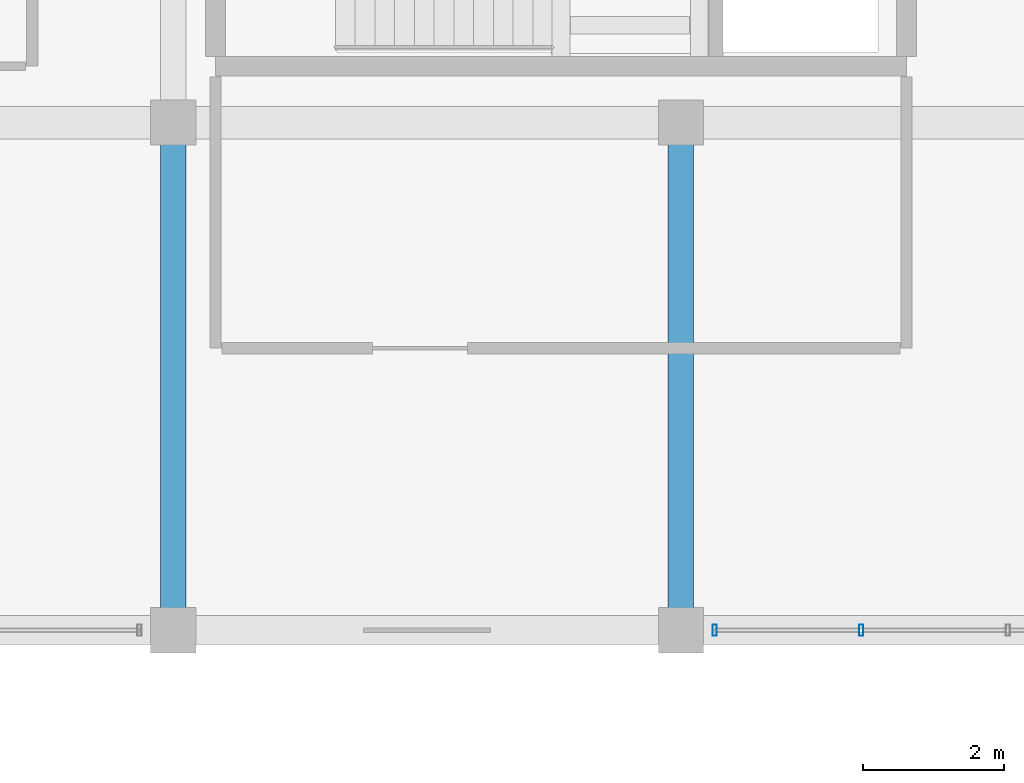
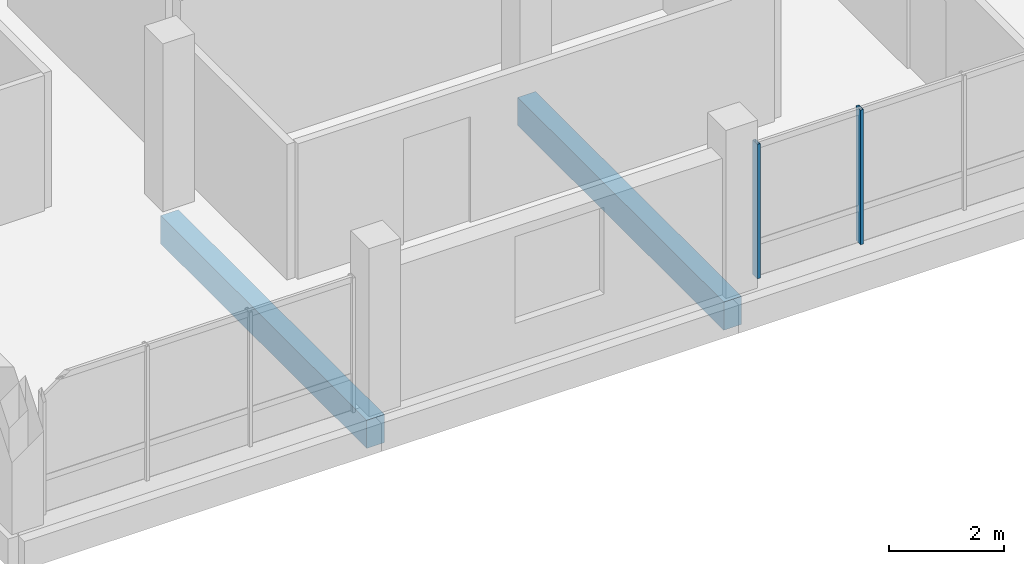
# One storey, part 86 of 128: 2 beams, 2 members, 1 element without a shape of its own.
"""IFC4 building model written with IfcOpenShell, lengths in metres."""

import ifcopenshell
import ifcopenshell.guid

model = None  # the IFC model being written
_history = None  # IfcOwnerHistory: only IFC2X3 demands one
_inside = {}  # id of a spatial element -> (the spatial element, [elements in it])
_under = {}  # id of a project, library or spatial element -> (it, [spatial elements below it])
_declared = {}  # id of a project -> (the project, [libraries it declares])
_typed = {}  # id of a type object -> (the type object, [elements of that type])
_made_of = {}  # id of a material, layer set ... -> (it, [elements and type objects made of it])


def new_model(schema):
    """Start an empty IFC model of exactly this schema.

    Asked for "IFC4X3", IfcOpenShell would pick the latest addendum, in which some entities
    have other attributes; the version numbers below select the first issue.
    IFC2X3 requires an IfcOwnerHistory on every rooted entity: one is made here for all.
    """
    global model, _history
    if schema == "IFC4X3":
        model = ifcopenshell.file(schema_version=(4, 3, 0, 0))
    else:
        model = ifcopenshell.file(schema=schema)
    _inside.clear()
    _under.clear()
    _declared.clear()
    _typed.clear()
    _made_of.clear()
    _history = None
    if model.schema == "IFC2X3":
        org = make("IfcOrganization", Name="unknown")
        user = make(
            "IfcPersonAndOrganization",
            ThePerson=make("IfcPerson", FamilyName="unknown"),
            TheOrganization=org,
        )
        app = make(
            "IfcApplication",
            ApplicationDeveloper=org,
            Version="unknown",
            ApplicationFullName="unknown",
            ApplicationIdentifier="unknown",
        )
        _history = make(
            "IfcOwnerHistory",
            OwningUser=user,
            OwningApplication=app,
            ChangeAction="ADDED",
            CreationDate=0,
        )
    return model


def make(cls, **values):
    """One entity of the class cls with the attributes given. An attribute that is None is left unset."""
    return model.create_entity(
        cls, **{name: value for name, value in values.items() if value is not None}
    )


def rooted(cls, **values):
    """An entity with a GlobalId (a new one), such as an element, a storey or a relation."""
    return make(cls, GlobalId=ifcopenshell.guid.new(), OwnerHistory=_history, **values)


def si_unit(unit_type, name, prefix=None):
    """IfcSIUnit, for example si_unit("LENGTHUNIT", "METRE", prefix="MILLI")."""
    return make("IfcSIUnit", UnitType=unit_type, Prefix=prefix, Name=name)


def assignment(units):
    """IfcUnitAssignment: the units of a project."""
    return None if units is None else make("IfcUnitAssignment", Units=units)


def point(xyz):
    """IfcCartesianPoint."""
    return None if xyz is None else make("IfcCartesianPoint", Coordinates=xyz)


def direction(xyz):
    """IfcDirection."""
    return None if xyz is None else make("IfcDirection", DirectionRatios=xyz)


def frame(location, z_axis=None, x_axis=None):
    """IfcAxis2Placement3D, a coordinate frame: its origin and axes. An axis left out is left unset."""
    return make(
        "IfcAxis2Placement3D",
        Location=point(location),
        Axis=direction(z_axis),
        RefDirection=direction(x_axis),
    )


def frame_2d(location, x_axis=None):
    """IfcAxis2Placement2D, a coordinate frame in the plane: its origin and x axis."""
    return make(
        "IfcAxis2Placement2D", Location=point(location), RefDirection=direction(x_axis)
    )


def origin():
    """The frame at (0, 0, 0) with its axes left unset."""
    return frame((0.0, 0.0, 0.0))


def origin_2d():
    """The frame at (0, 0) in the plane with its x axis left unset."""
    return frame_2d((0.0, 0.0))


def place(relative_to, where):
    """IfcLocalPlacement: puts the frame where relative to a parent placement (None: the world)."""
    return make(
        "IfcLocalPlacement", PlacementRelTo=relative_to, RelativePlacement=where
    )


def context(
    kind, dimensions, precision=None, world=None, true_north=None, identifier=None
):
    """IfcGeometricRepresentationContext, for example the 3D "Model" context."""
    return make(
        "IfcGeometricRepresentationContext",
        ContextIdentifier=identifier,
        ContextType=kind,
        CoordinateSpaceDimension=dimensions,
        Precision=precision,
        WorldCoordinateSystem=world,
        TrueNorth=true_north,
    )


def subcontext(parent, identifier, kind, view, scale=None):
    """IfcGeometricRepresentationSubContext, for example "Body" below "Model"."""
    return make(
        "IfcGeometricRepresentationSubContext",
        ContextIdentifier=identifier,
        ContextType=kind,
        ParentContext=parent,
        TargetScale=scale,
        TargetView=view,
    )


def project(units=None, contexts=None):
    """IfcProject with its units and contexts."""
    return rooted(
        "IfcProject",
        Name="project",
        RepresentationContexts=contexts,
        UnitsInContext=assignment(units),
    )


def spatial(cls, under=None, at=None, **own):
    """A site, building, storey or space (cls), placed at a placement, below another one or the project."""
    s = rooted(cls, ObjectPlacement=at, **own)
    if under is not None:
        _under.setdefault(under.id(), (under, []))[1].append(s)
    return s


def profile(cls, at=None, kind="AREA", **sizes):
    """A parametric profile (cls). Its sizes go by their IFC names, for example OverallWidth=200.0."""
    return make(cls, ProfileType=kind, Position=at, **sizes)


def rectangle(**sizes):
    """IfcRectangleProfileDef."""
    return profile("IfcRectangleProfileDef", **sizes)


def hollow_rectangle(**sizes):
    """IfcRectangleHollowProfileDef."""
    return profile("IfcRectangleHollowProfileDef", **sizes)


def extrude(swept, where, along, depth):
    """IfcExtrudedAreaSolid: the profile swept, set in the frame where, extruded along a direction by depth."""
    return make(
        "IfcExtrudedAreaSolid",
        SweptArea=swept,
        Position=where,
        ExtrudedDirection=direction(along),
        Depth=depth,
    )


def shape(context_of_items, identifier, shape_type, items):
    """IfcShapeRepresentation: the items that make up one representation, for example the "Body"."""
    return make(
        "IfcShapeRepresentation",
        ContextOfItems=context_of_items,
        RepresentationIdentifier=identifier,
        RepresentationType=shape_type,
        Items=items,
    )


def material(Name=None, Category=None):
    """IfcMaterial."""
    return make("IfcMaterial", Name=Name, Category=Category)


def material_profile(
    of_material, cross_section, Name=None, Category=None, Priority=None
):
    """IfcMaterialProfile: a cross section and its material."""
    return make(
        "IfcMaterialProfile",
        Name=Name,
        Material=of_material,
        Profile=cross_section,
        Priority=Priority,
        Category=Category,
    )


def profile_set(profiles, Name=None, composite=None):
    """IfcMaterialProfileSet."""
    return make(
        "IfcMaterialProfileSet",
        Name=Name,
        MaterialProfiles=profiles,
        CompositeProfile=composite,
    )


def made_of(thing, what):
    """Note that an element or type object is made of a material, layer set ...; save() writes the relation."""
    if what is not None:
        _made_of.setdefault(what.id(), (what, []))[1].append(thing)
    return thing


def type_object(cls, material=None, **own):
    """A type object (cls), such as IfcWallType, which elements share."""
    return made_of(rooted(cls, **own), material)


def element(
    cls,
    number,
    at=None,
    inside=None,
    cuts=None,
    type_object=None,
    material=None,
    context=None,
    identifier="Body",
    shape_type=None,
    held_by="IfcProductDefinitionShape",
    body=None,
    shapes=None,
    **own,
):
    """One element of the class cls, such as IfcWall. Its Tag is "e" and its number.

    at: its placement. inside: the storey or other place that contains it. cuts: it is an
    opening in that element (IfcRelVoidsElement). A single representation is given by context,
    identifier, shape_type and body (its items); several are given by shapes. held_by: the class
    of the entity that holds the representations. save() writes the other relations.
    """
    e = rooted(cls, Tag="e%d" % number, ObjectPlacement=at, **own)
    if body is not None:
        shapes = [shape(context, identifier, shape_type, body)]
    if shapes is not None:
        e.Representation = make(held_by, Representations=shapes)
    if inside is not None:
        _inside.setdefault(inside.id(), (inside, []))[1].append(e)
    if cuts is not None:
        rooted(
            "IfcRelVoidsElement", RelatingBuildingElement=cuts, RelatedOpeningElement=e
        )
    if type_object is not None:
        _typed.setdefault(type_object.id(), (type_object, []))[1].append(e)
    return made_of(e, material)


def aggregate(whole, parts):
    """IfcRelAggregates: a whole, such as a stair, and the parts it consists of."""
    return rooted("IfcRelAggregates", RelatingObject=whole, RelatedObjects=parts)


def save(model, path):
    """Write the relations noted so far, then the file.

    IfcRelAggregates (storeys below a building ...), IfcRelContainedInSpatialStructure (elements
    in a storey), IfcRelDefinesByType, IfcRelAssociatesMaterial and IfcRelDeclares: one each for
    every whole, place, type object, material and project.
    """
    for whole, parts in _under.values():
        aggregate(whole, parts)
    for where, things in _inside.values():
        rooted(
            "IfcRelContainedInSpatialStructure",
            RelatedElements=things,
            RelatingStructure=where,
        )
    for kind, things in _typed.values():
        rooted("IfcRelDefinesByType", RelatedObjects=things, RelatingType=kind)
    for what, things in _made_of.values():
        rooted("IfcRelAssociatesMaterial", RelatedObjects=things, RelatingMaterial=what)
    for by, libraries in _declared.values():
        rooted("IfcRelDeclares", RelatingContext=by, RelatedDefinitions=libraries)
    model.write(path)


model = new_model("IFC4")

# Units and contexts
model_context = context("Model", 3, precision=1e-05, world=origin(), true_north=direction((0.0, 1.0)))
body_context = subcontext(model_context, "Body", "Model", "MODEL_VIEW")
ifc_project = project(units=[si_unit("LENGTHUNIT", "METRE"), si_unit("AREAUNIT", "SQUARE_METRE"), si_unit("VOLUMEUNIT", "CUBIC_METRE"), si_unit("PLANEANGLEUNIT", "RADIAN"), si_unit("MASSUNIT", "GRAM", prefix="KILO")], contexts=[model_context])

# Site, building, storey
site_placement = place(None, origin())
site = spatial("IfcSite", under=ifc_project, at=site_placement, CompositionType="ELEMENT")
building_placement = place(site_placement, origin())
building = spatial("IfcBuilding", under=site, at=building_placement, Name="Zornivar Specialist Clinic", CompositionType="ELEMENT")
storey_placement = place(building_placement, frame((0.0, 0.0, 4.5)))
storey = spatial("IfcBuildingStorey", under=building, at=storey_placement, Name="L01", CompositionType="ELEMENT", Elevation=4.5)

# Beams
ifc_material_1 = material(Name="Concrete C30/37", Category="concrete")
ifc_material_profile_1 = material_profile(ifc_material_1, rectangle(XDim=0.360107421875, YDim=0.60009765625, at=origin_2d()), Name="RC 360x600")
ifc_profile_set_1 = profile_set([ifc_material_profile_1], Name="Concrete C30/37")
beam_type = type_object("IfcBeamType", Name="BM-RC-360x600", PredefinedType="BEAM", material=ifc_profile_set_1)
for number, where, z_axis, x_axis, name in (
    (1, (144.0, 64.800048828125, -0.6201171875), (0.0, 1.0, 0.0), (-1.0, 0.0, 0.0), "bm:V6:L01:y:1440:0"),
    (2, (151.199951171875, 64.800048828125, -0.6201171875), (0.0, 1.0, 0.0), (-1.0, 0.0, 0.0), "bm:V6:L01:y:1512:0"),
):
    element("IfcBeam", number, at=place(storey_placement, frame(where, z_axis=z_axis, x_axis=x_axis)), inside=storey, type_object=beam_type, Name=name, PredefinedType="BEAM", context=body_context, shape_type="SweptSolid", body=[
        extrude(rectangle(XDim=0.360107421875, YDim=0.60009765625, at=origin_2d()), origin(), (0.0, 0.0, 1.0), 7.199951171875),
    ])

# Curtain wall, members
ifc_material_2 = material(Name="Aluminium and Low-E Glass Curtain Wall", Category="aluminium")
curtain_wall_type = type_object("IfcCurtainWallType", Name="CW-LAB-NORTH", PredefinedType="NOTDEFINED", material=ifc_material_2)
curtain_wall_placement = place(storey_placement, origin())
curtain_wall = element("IfcCurtainWall", 3, at=curtain_wall_placement, inside=storey, type_object=curtain_wall_type, Name="cw:V6:L01:02", PredefinedType="NOTDEFINED")
ifc_material_3 = material(Name="Aluminium AW-6060", Category="aluminium")
ifc_material_profile_2 = material_profile(ifc_material_3, hollow_rectangle(XDim=0.06005859375, YDim=0.159912109375, WallThickness=0.00390625, at=origin_2d()), Name="ALU 60x160x4")
ifc_profile_set_2 = profile_set([ifc_material_profile_2], Name="Aluminium AW-6060")
member_type = type_object("IfcMemberType", Name="CWM-MUL-160", PredefinedType="MULLION", material=ifc_profile_set_2)
member_1_placement = place(storey_placement, frame((151.679931640625, 64.800048828125, 0.0), z_axis=(0.0, 0.0, 1.0), x_axis=(1.0, 0.0, 0.0)))
member_1 = element("IfcMember", 4, at=member_1_placement, type_object=member_type, Name="cw:V6:L01:02:mul:0", PredefinedType="MULLION", context=body_context, shape_type="SweptSolid", body=[
    extrude(hollow_rectangle(XDim=0.06005859375, YDim=0.159912109375, WallThickness=0.00390625, at=origin_2d()), origin(), (0.0, 0.0, 1.0), 2.8701171875),
])
member_2_placement = place(storey_placement, frame((153.760009765625, 64.800048828125, 0.0), z_axis=(0.0, 0.0, 1.0), x_axis=(1.0, 0.0, 0.0)))
member_2 = element("IfcMember", 5, at=member_2_placement, type_object=member_type, Name="cw:V6:L01:02:mul:1", PredefinedType="MULLION", context=body_context, shape_type="SweptSolid", body=[
    extrude(hollow_rectangle(XDim=0.06005859375, YDim=0.159912109375, WallThickness=0.00390625, at=origin_2d()), origin(), (0.0, 0.0, 1.0), 2.8701171875),
])
aggregate(curtain_wall, [member_1, member_2])

save(model, "model.ifc")
